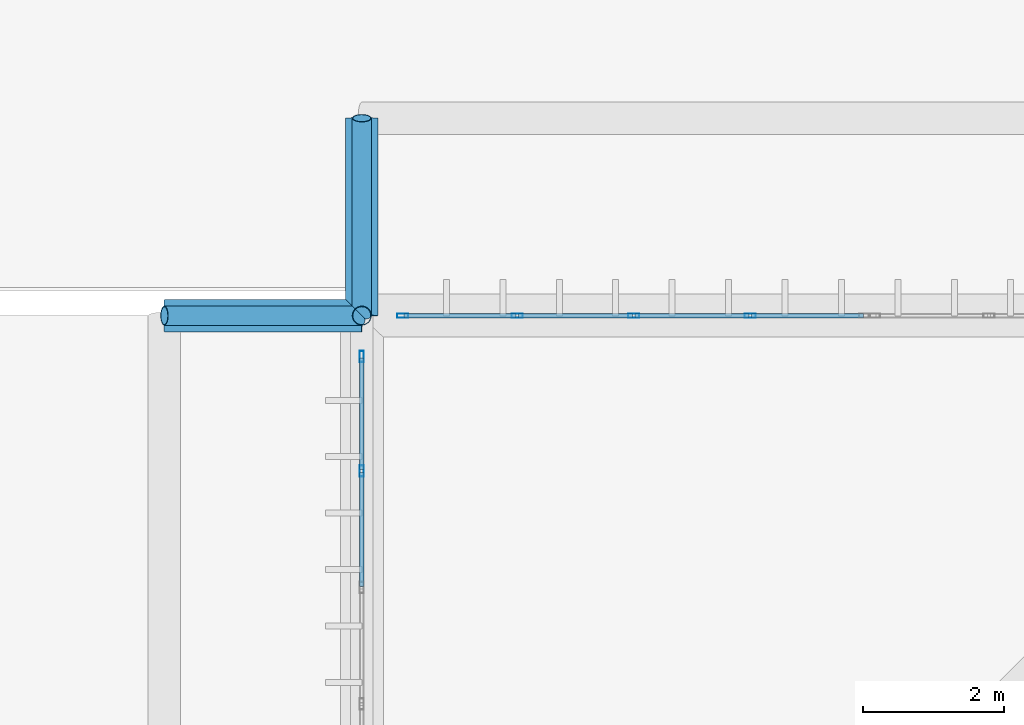
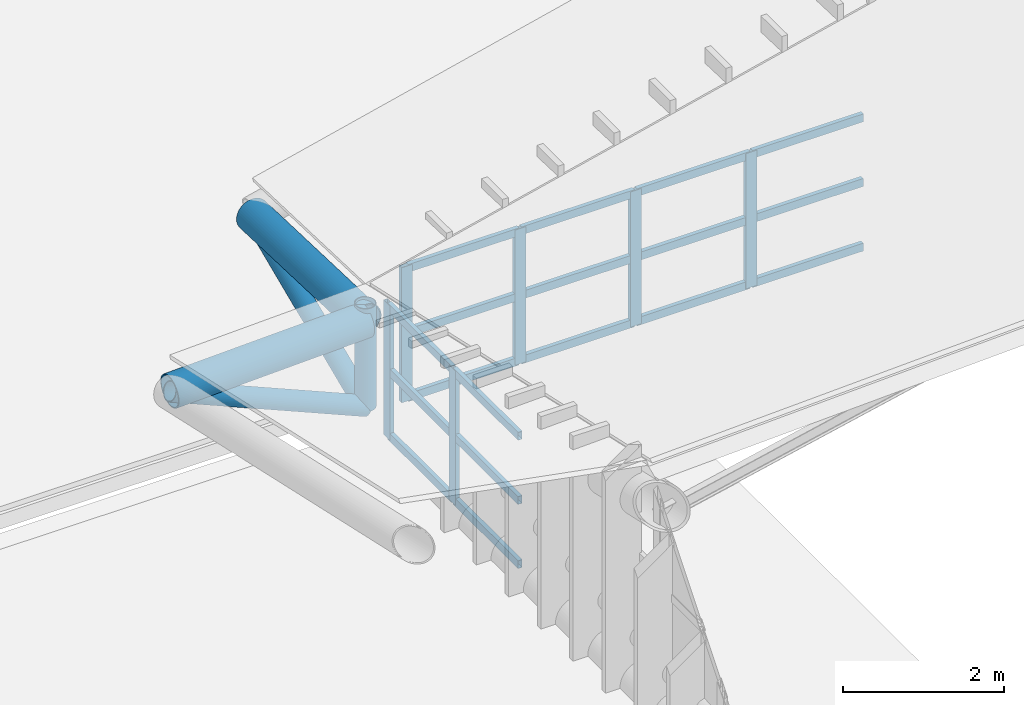
# One storey, part 227 of 397: 27 members, 2 beams, 2 elements without a shape of their own.
"""IFC4 building model written with IfcOpenShell, lengths in metres."""

from ifc_helpers import new_model, si_unit, direction, frame, origin, origin_2d, place, context, subcontext, project, spatial, hollow_rectangle, hollow_circle, extrude, material, material_profile, profile_set, type_object, element, aggregate, save


model = new_model("IFC4")

# Units and contexts
model_context = context("Model", 3, precision=1e-05, world=origin(), true_north=direction((0.0, 1.0)))
body_context = subcontext(model_context, "Body", "Model", "MODEL_VIEW")
ifc_project = project(units=[si_unit("LENGTHUNIT", "METRE"), si_unit("AREAUNIT", "SQUARE_METRE"), si_unit("VOLUMEUNIT", "CUBIC_METRE"), si_unit("PLANEANGLEUNIT", "RADIAN"), si_unit("MASSUNIT", "GRAM", prefix="KILO")], contexts=[model_context])

# Site, building, storey
site_placement = place(None, origin())
site = spatial("IfcSite", under=ifc_project, at=site_placement, CompositionType="ELEMENT")
building_placement = place(site_placement, origin())
building = spatial("IfcBuilding", under=site, at=building_placement, Name="Qandorah Velis Arena", CompositionType="ELEMENT")
storey_placement = place(building_placement, frame((0.0, 0.0, 27.5)))
storey = spatial("IfcBuildingStorey", under=building, at=storey_placement, Name="RF", CompositionType="ELEMENT", Elevation=27.5)

# Curtain wall, members
ifc_material_1 = material(Name="Solar-control low-E double glazing", Category="glass")
curtain_wall_type_1 = type_object("IfcCurtainWallType", Name="ARC-CW-SYS08", PredefinedType="USERDEFINED", material=ifc_material_1)
curtain_wall_1_placement = place(storey_placement, origin())
curtain_wall_1 = element("IfcCurtainWall", 1, at=curtain_wall_1_placement, inside=storey, type_object=curtain_wall_type_1, Name="Unitised curtain wall CROWN-1-07S2", ObjectType="UNITISED CURTAIN WALL", PredefinedType="USERDEFINED")
ifc_material_2 = material(Name="Champagne-bronze anodized aluminium 6063-T6", Category="aluminium")
ifc_material_profile_1 = material_profile(ifc_material_2, hollow_rectangle(XDim=0.06005859375, YDim=0.159912109375, WallThickness=0.00341796875, at=origin_2d()), Name="ALU MULLION 60x160")
ifc_profile_set_1 = profile_set([ifc_material_profile_1], Name="Champagne-bronze anodized aluminium 6063-T6")
member_type_1 = type_object("IfcMemberType", Name="ARC-CWM-160", PredefinedType="MULLION", material=ifc_profile_set_1)
member_1_placement = place(storey_placement, frame((14.39990234375, 112.99755859375, -0.014892578125), z_axis=(0.0, 0.0, 1.0), x_axis=(-1.0, 0.0, 0.0)))
member_1 = element("IfcMember", 2, at=member_1_placement, type_object=member_type_1, Name="CW08 mullion 4", PredefinedType="MULLION", context=body_context, shape_type="SweptSolid", body=[
    extrude(hollow_rectangle(XDim=0.06005859375, YDim=0.159912109375, WallThickness=0.00341796875, at=origin_2d()), origin(), (0.0, 0.0, 1.0), 2.03271484375),
])
member_2_placement = place(storey_placement, frame((14.39990234375, 114.6201171875, -0.014892578125), z_axis=(0.0, 0.0, 1.0), x_axis=(-1.0, 0.0, 0.0)))
member_2 = element("IfcMember", 3, at=member_2_placement, type_object=member_type_1, Name="CW08 mullion 5", PredefinedType="MULLION", context=body_context, shape_type="SweptSolid", body=[
    extrude(hollow_rectangle(XDim=0.06005859375, YDim=0.159912109375, WallThickness=0.00341796875, at=origin_2d()), origin(), (0.0, 0.0, 1.0), 2.03271484375),
])

curtain_wall_type_2 = type_object("IfcCurtainWallType", Name="ARC-CW-SYS01", PredefinedType="USERDEFINED", material=ifc_material_1)
curtain_wall_2_placement = place(storey_placement, origin())
curtain_wall_2 = element("IfcCurtainWall", 4, at=curtain_wall_2_placement, inside=storey, type_object=curtain_wall_type_2, Name="Unitised curtain wall CROWN-4-01S1", ObjectType="UNITISED CURTAIN WALL", PredefinedType="USERDEFINED")
member_3_placement = place(storey_placement, frame((14.97998046875, 115.199951171875, -0.014892578125), z_axis=(0.0, 0.0, 1.0), x_axis=(0.0, 1.0, 0.0)))
member_3 = element("IfcMember", 5, at=member_3_placement, type_object=member_type_1, Name="CW01 mullion 1", PredefinedType="MULLION", context=body_context, shape_type="SweptSolid", body=[
    extrude(hollow_rectangle(XDim=0.06005859375, YDim=0.159912109375, WallThickness=0.00341796875, at=origin_2d()), origin(), (0.0, 0.0, 1.0), 2.04541015625),
])
member_4_placement = place(storey_placement, frame((16.6025390625, 115.199951171875, -0.014892578125), z_axis=(0.0, 0.0, 1.0), x_axis=(0.0, 1.0, 0.0)))
member_4 = element("IfcMember", 6, at=member_4_placement, type_object=member_type_1, Name="CW01 mullion 2", PredefinedType="MULLION", context=body_context, shape_type="SweptSolid", body=[
    extrude(hollow_rectangle(XDim=0.06005859375, YDim=0.159912109375, WallThickness=0.00341796875, at=origin_2d()), origin(), (0.0, 0.0, 1.0), 2.04541015625),
])
member_5_placement = place(storey_placement, frame((18.2548828125, 115.199951171875, -0.014892578125), z_axis=(0.0, 0.0, 1.0), x_axis=(0.0, 1.0, 0.0)))
member_5 = element("IfcMember", 7, at=member_5_placement, type_object=member_type_1, Name="CW01 mullion 3", PredefinedType="MULLION", context=body_context, shape_type="SweptSolid", body=[
    extrude(hollow_rectangle(XDim=0.06005859375, YDim=0.159912109375, WallThickness=0.00341796875, at=origin_2d()), origin(), (0.0, 0.0, 1.0), 2.04541015625),
])
member_6_placement = place(storey_placement, frame((19.907470703125, 115.199951171875, -0.014892578125), z_axis=(0.0, 0.0, 1.0), x_axis=(0.0, 1.0, 0.0)))
member_6 = element("IfcMember", 8, at=member_6_placement, type_object=member_type_1, Name="CW01 mullion 4", PredefinedType="MULLION", context=body_context, shape_type="SweptSolid", body=[
    extrude(hollow_rectangle(XDim=0.06005859375, YDim=0.159912109375, WallThickness=0.00341796875, at=origin_2d()), origin(), (0.0, 0.0, 1.0), 2.04541015625),
])

# Member
ifc_material_profile_2 = material_profile(ifc_material_2, hollow_rectangle(XDim=0.06005859375, YDim=0.1201171875, WallThickness=0.0029296875, at=origin_2d()), Name="ALU TRANSOM 60x120")
ifc_profile_set_2 = profile_set([ifc_material_profile_2], Name="Champagne-bronze anodized aluminium 6063-T6")
member_type_2 = type_object("IfcMemberType", Name="ARC-CWT-120", PredefinedType="USERDEFINED", material=ifc_profile_set_2)
member_7_placement = place(storey_placement, frame((14.39990234375, 111.363037109375, 0.030029296875), z_axis=(0.0, 1.0, 0.0), x_axis=(-1.0, 0.0, 0.0)))
member_7 = element("IfcMember", 9, at=member_7_placement, type_object=member_type_2, Name="CW08 transom 3.1", ObjectType="TRANSOM", PredefinedType="USERDEFINED", context=body_context, shape_type="SweptSolid", body=[
    extrude(hollow_rectangle(XDim=0.06005859375, YDim=0.1201171875, WallThickness=0.0029296875, at=origin_2d()), origin(), (0.0, 0.0, 1.0), 1.616455078125),
])

member_8_placement = place(storey_placement, frame((14.39990234375, 111.363037109375, 1.00146484375), z_axis=(0.0, 1.0, 0.0), x_axis=(-1.0, 0.0, 0.0)))
member_8 = element("IfcMember", 10, at=member_8_placement, type_object=member_type_2, Name="CW08 transom 3.2", ObjectType="TRANSOM", PredefinedType="USERDEFINED", context=body_context, shape_type="SweptSolid", body=[
    extrude(hollow_rectangle(XDim=0.06005859375, YDim=0.1201171875, WallThickness=0.0029296875, at=origin_2d()), origin(), (0.0, 0.0, 1.0), 1.616455078125),
])

member_9_placement = place(storey_placement, frame((14.39990234375, 111.363037109375, 1.972900390625), z_axis=(0.0, 1.0, 0.0), x_axis=(-1.0, 0.0, 0.0)))
member_9 = element("IfcMember", 11, at=member_9_placement, type_object=member_type_2, Name="CW08 transom 3.3", ObjectType="TRANSOM", PredefinedType="USERDEFINED", context=body_context, shape_type="SweptSolid", body=[
    extrude(hollow_rectangle(XDim=0.06005859375, YDim=0.1201171875, WallThickness=0.0029296875, at=origin_2d()), origin(), (0.0, 0.0, 1.0), 1.616455078125),
])

member_10_placement = place(storey_placement, frame((14.39990234375, 113.015380859375, 0.030029296875), z_axis=(0.0, 1.0, 0.0), x_axis=(-1.0, 0.0, 0.0)))
member_10 = element("IfcMember", 12, at=member_10_placement, type_object=member_type_2, Name="CW08 transom 4.1", ObjectType="TRANSOM", PredefinedType="USERDEFINED", context=body_context, shape_type="SweptSolid", body=[
    extrude(hollow_rectangle(XDim=0.06005859375, YDim=0.1201171875, WallThickness=0.0029296875, at=origin_2d()), origin(), (0.0, 0.0, 1.0), 1.586669921875),
])

member_11_placement = place(storey_placement, frame((14.39990234375, 113.015380859375, 1.00146484375), z_axis=(0.0, 1.0, 0.0), x_axis=(-1.0, 0.0, 0.0)))
member_11 = element("IfcMember", 13, at=member_11_placement, type_object=member_type_2, Name="CW08 transom 4.2", ObjectType="TRANSOM", PredefinedType="USERDEFINED", context=body_context, shape_type="SweptSolid", body=[
    extrude(hollow_rectangle(XDim=0.06005859375, YDim=0.1201171875, WallThickness=0.0029296875, at=origin_2d()), origin(), (0.0, 0.0, 1.0), 1.586669921875),
])

member_12_placement = place(storey_placement, frame((14.39990234375, 113.015380859375, 1.972900390625), z_axis=(0.0, 1.0, 0.0), x_axis=(-1.0, 0.0, 0.0)))
member_12 = element("IfcMember", 14, at=member_12_placement, type_object=member_type_2, Name="CW08 transom 4.3", ObjectType="TRANSOM", PredefinedType="USERDEFINED", context=body_context, shape_type="SweptSolid", body=[
    extrude(hollow_rectangle(XDim=0.06005859375, YDim=0.1201171875, WallThickness=0.0029296875, at=origin_2d()), origin(), (0.0, 0.0, 1.0), 1.586669921875),
])

aggregate(curtain_wall_1, [member_1, member_2, member_7, member_8, member_9, member_10, member_11, member_12])

member_13_placement = place(storey_placement, frame((14.998046875, 115.199951171875, 0.030029296875), z_axis=(1.0, 0.0, 0.0), x_axis=(0.0, 1.0, 0.0)))
member_13 = element("IfcMember", 15, at=member_13_placement, type_object=member_type_2, Name="CW01 transom 1.1", ObjectType="TRANSOM", PredefinedType="USERDEFINED", context=body_context, shape_type="SweptSolid", body=[
    extrude(hollow_rectangle(XDim=0.06005859375, YDim=0.1201171875, WallThickness=0.0029296875, at=origin_2d()), origin(), (0.0, 0.0, 1.0), 1.58642578125),
])

member_14_placement = place(storey_placement, frame((14.998046875, 115.199951171875, 1.0078125), z_axis=(1.0, 0.0, 0.0), x_axis=(0.0, 1.0, 0.0)))
member_14 = element("IfcMember", 16, at=member_14_placement, type_object=member_type_2, Name="CW01 transom 1.2", ObjectType="TRANSOM", PredefinedType="USERDEFINED", context=body_context, shape_type="SweptSolid", body=[
    extrude(hollow_rectangle(XDim=0.06005859375, YDim=0.1201171875, WallThickness=0.0029296875, at=origin_2d()), origin(), (0.0, 0.0, 1.0), 1.58642578125),
])

member_15_placement = place(storey_placement, frame((14.998046875, 115.199951171875, 1.985595703125), z_axis=(1.0, 0.0, 0.0), x_axis=(0.0, 1.0, 0.0)))
member_15 = element("IfcMember", 17, at=member_15_placement, type_object=member_type_2, Name="CW01 transom 1.3", ObjectType="TRANSOM", PredefinedType="USERDEFINED", context=body_context, shape_type="SweptSolid", body=[
    extrude(hollow_rectangle(XDim=0.06005859375, YDim=0.1201171875, WallThickness=0.0029296875, at=origin_2d()), origin(), (0.0, 0.0, 1.0), 1.58642578125),
])

member_16_placement = place(storey_placement, frame((16.62060546875, 115.199951171875, 0.030029296875), z_axis=(1.0, 0.0, 0.0), x_axis=(0.0, 1.0, 0.0)))
member_16 = element("IfcMember", 18, at=member_16_placement, type_object=member_type_2, Name="CW01 transom 2.1", ObjectType="TRANSOM", PredefinedType="USERDEFINED", context=body_context, shape_type="SweptSolid", body=[
    extrude(hollow_rectangle(XDim=0.06005859375, YDim=0.1201171875, WallThickness=0.0029296875, at=origin_2d()), origin(), (0.0, 0.0, 1.0), 1.616455078125),
])

member_17_placement = place(storey_placement, frame((16.62060546875, 115.199951171875, 1.0078125), z_axis=(1.0, 0.0, 0.0), x_axis=(0.0, 1.0, 0.0)))
member_17 = element("IfcMember", 19, at=member_17_placement, type_object=member_type_2, Name="CW01 transom 2.2", ObjectType="TRANSOM", PredefinedType="USERDEFINED", context=body_context, shape_type="SweptSolid", body=[
    extrude(hollow_rectangle(XDim=0.06005859375, YDim=0.1201171875, WallThickness=0.0029296875, at=origin_2d()), origin(), (0.0, 0.0, 1.0), 1.616455078125),
])

member_18_placement = place(storey_placement, frame((16.62060546875, 115.199951171875, 1.985595703125), z_axis=(1.0, 0.0, 0.0), x_axis=(0.0, 1.0, 0.0)))
member_18 = element("IfcMember", 20, at=member_18_placement, type_object=member_type_2, Name="CW01 transom 2.3", ObjectType="TRANSOM", PredefinedType="USERDEFINED", context=body_context, shape_type="SweptSolid", body=[
    extrude(hollow_rectangle(XDim=0.06005859375, YDim=0.1201171875, WallThickness=0.0029296875, at=origin_2d()), origin(), (0.0, 0.0, 1.0), 1.616455078125),
])

member_19_placement = place(storey_placement, frame((18.27294921875, 115.199951171875, 0.030029296875), z_axis=(1.0, 0.0, 0.0), x_axis=(0.0, 1.0, 0.0)))
member_19 = element("IfcMember", 21, at=member_19_placement, type_object=member_type_2, Name="CW01 transom 3.1", ObjectType="TRANSOM", PredefinedType="USERDEFINED", context=body_context, shape_type="SweptSolid", body=[
    extrude(hollow_rectangle(XDim=0.06005859375, YDim=0.1201171875, WallThickness=0.0029296875, at=origin_2d()), origin(), (0.0, 0.0, 1.0), 1.616455078125),
])

member_20_placement = place(storey_placement, frame((18.27294921875, 115.199951171875, 1.0078125), z_axis=(1.0, 0.0, 0.0), x_axis=(0.0, 1.0, 0.0)))
member_20 = element("IfcMember", 22, at=member_20_placement, type_object=member_type_2, Name="CW01 transom 3.2", ObjectType="TRANSOM", PredefinedType="USERDEFINED", context=body_context, shape_type="SweptSolid", body=[
    extrude(hollow_rectangle(XDim=0.06005859375, YDim=0.1201171875, WallThickness=0.0029296875, at=origin_2d()), origin(), (0.0, 0.0, 1.0), 1.616455078125),
])

member_21_placement = place(storey_placement, frame((18.27294921875, 115.199951171875, 1.985595703125), z_axis=(1.0, 0.0, 0.0), x_axis=(0.0, 1.0, 0.0)))
member_21 = element("IfcMember", 23, at=member_21_placement, type_object=member_type_2, Name="CW01 transom 3.3", ObjectType="TRANSOM", PredefinedType="USERDEFINED", context=body_context, shape_type="SweptSolid", body=[
    extrude(hollow_rectangle(XDim=0.06005859375, YDim=0.1201171875, WallThickness=0.0029296875, at=origin_2d()), origin(), (0.0, 0.0, 1.0), 1.616455078125),
])

member_22_placement = place(storey_placement, frame((19.925537109375, 115.199951171875, 0.030029296875), z_axis=(1.0, 0.0, 0.0), x_axis=(0.0, 1.0, 0.0)))
member_22 = element("IfcMember", 24, at=member_22_placement, type_object=member_type_2, Name="CW01 transom 4.1", ObjectType="TRANSOM", PredefinedType="USERDEFINED", context=body_context, shape_type="SweptSolid", body=[
    extrude(hollow_rectangle(XDim=0.06005859375, YDim=0.1201171875, WallThickness=0.0029296875, at=origin_2d()), origin(), (0.0, 0.0, 1.0), 1.58642578125),
])

member_23_placement = place(storey_placement, frame((19.925537109375, 115.199951171875, 1.0078125), z_axis=(1.0, 0.0, 0.0), x_axis=(0.0, 1.0, 0.0)))
member_23 = element("IfcMember", 25, at=member_23_placement, type_object=member_type_2, Name="CW01 transom 4.2", ObjectType="TRANSOM", PredefinedType="USERDEFINED", context=body_context, shape_type="SweptSolid", body=[
    extrude(hollow_rectangle(XDim=0.06005859375, YDim=0.1201171875, WallThickness=0.0029296875, at=origin_2d()), origin(), (0.0, 0.0, 1.0), 1.58642578125),
])

member_24_placement = place(storey_placement, frame((19.925537109375, 115.199951171875, 1.985595703125), z_axis=(1.0, 0.0, 0.0), x_axis=(0.0, 1.0, 0.0)))
member_24 = element("IfcMember", 26, at=member_24_placement, type_object=member_type_2, Name="CW01 transom 4.3", ObjectType="TRANSOM", PredefinedType="USERDEFINED", context=body_context, shape_type="SweptSolid", body=[
    extrude(hollow_rectangle(XDim=0.06005859375, YDim=0.1201171875, WallThickness=0.0029296875, at=origin_2d()), origin(), (0.0, 0.0, 1.0), 1.58642578125),
])

aggregate(curtain_wall_2, [member_3, member_4, member_5, member_6, member_13, member_14, member_15, member_16, member_17, member_18, member_19, member_20, member_21, member_22, member_23, member_24])

# Beams
ifc_material_3 = material(Name="Steel S355", Category="steel")
ifc_material_profile_3 = material_profile(ifc_material_3, hollow_circle(Radius=0.228515625, WallThickness=0.01611328125, at=origin_2d()), Name="CHS 457x16")
ifc_profile_set_3 = profile_set([ifc_material_profile_3], Name="Steel S355")
beam_type = type_object("IfcBeamType", Name="STR-SFC-CHS457X16", PredefinedType="USERDEFINED", material=ifc_profile_set_3)
beam_1_placement = place(storey_placement, frame((14.39990234375, 115.199951171875, 1.39990234375), z_axis=(0.0, 0.999364739976, -0.035638693753), x_axis=(-1.0, 0.0, 0.0)))
element("IfcBeam", 27, at=beam_1_placement, inside=storey, type_object=beam_type, Name="Space frame eave outrigger N-0", ObjectType="ROOF TRUSS", PredefinedType="USERDEFINED", context=body_context, shape_type="SweptSolid", body=[
    extrude(hollow_circle(Radius=0.228515625, WallThickness=0.01611328125, at=origin_2d()), origin(), (0.0, 0.0, 1.0), 2.8017578125),
])
beam_2_placement = place(storey_placement, frame((14.39990234375, 115.199951171875, 1.39990234375), z_axis=(-0.999364629289, 0.0, -0.035641797469), x_axis=(0.0, -1.0, 0.0)))
element("IfcBeam", 28, at=beam_2_placement, inside=storey, type_object=beam_type, Name="Space frame eave outrigger W-7", ObjectType="ROOF TRUSS", PredefinedType="USERDEFINED", context=body_context, shape_type="SweptSolid", body=[
    extrude(hollow_circle(Radius=0.228515625, WallThickness=0.01611328125, at=origin_2d()), origin(), (0.0, 0.0, 1.0), 2.801513671875),
])

# Members
ifc_material_profile_4 = material_profile(ifc_material_3, hollow_circle(Radius=0.136474609375, WallThickness=0.010009765625, at=origin_2d()), Name="CHS 273x10")
ifc_profile_set_4 = profile_set([ifc_material_profile_4], Name="Steel S355")
member_type_3 = type_object("IfcMemberType", Name="STR-SFD-CHS273X10", PredefinedType="STRUT", material=ifc_profile_set_4)
member_25_placement = place(storey_placement, frame((14.39990234375, 115.199951171875, 0.10009765625), z_axis=(0.0, 0.0, 1.0), x_axis=(1.0, 0.0, 0.0)))
element("IfcMember", 29, at=member_25_placement, inside=storey, type_object=member_type_3, Name="Space frame roof vertical post 0.7", PredefinedType="STRUT", context=body_context, shape_type="SweptSolid", body=[
    extrude(hollow_circle(Radius=0.136474609375, WallThickness=0.010009765625, at=origin_2d()), origin(), (0.0, 0.0, 1.0), 1.559814453125),
])
ifc_material_profile_5 = material_profile(ifc_material_3, hollow_circle(Radius=0.136474609375, WallThickness=0.012451171875, at=origin_2d()), Name="CHS 273x12.5")
ifc_profile_set_5 = profile_set([ifc_material_profile_5], Name="Steel S355")
member_type_4 = type_object("IfcMemberType", Name="STR-SFD-CHS273X12", PredefinedType="STRUT", material=ifc_profile_set_5)
member_26_placement = place(storey_placement, frame((14.39990234375, 115.199951171875, 0.10009765625), z_axis=(0.0, 0.919153320409, 0.393899953772), x_axis=(-1.0, 0.0, 0.0)))
element("IfcMember", 30, at=member_26_placement, inside=storey, type_object=member_type_4, Name="Space frame eave raking strut N-0", PredefinedType="STRUT", context=body_context, shape_type="SweptSolid", body=[
    extrude(hollow_circle(Radius=0.136474609375, WallThickness=0.012451171875, at=origin_2d()), origin(), (0.0, 0.0, 1.0), 3.04638671875),
])
member_27_placement = place(storey_placement, frame((14.39990234375, 115.199951171875, 0.10009765625), z_axis=(-0.919140884365, 0.0, 0.39392897163), x_axis=(0.0, -1.0, 0.0)))
element("IfcMember", 31, at=member_27_placement, inside=storey, type_object=member_type_4, Name="Space frame eave raking strut W-7", PredefinedType="STRUT", context=body_context, shape_type="SweptSolid", body=[
    extrude(hollow_circle(Radius=0.136474609375, WallThickness=0.012451171875, at=origin_2d()), origin(), (0.0, 0.0, 1.0), 3.046142578125),
])

save(model, "model.ifc")
